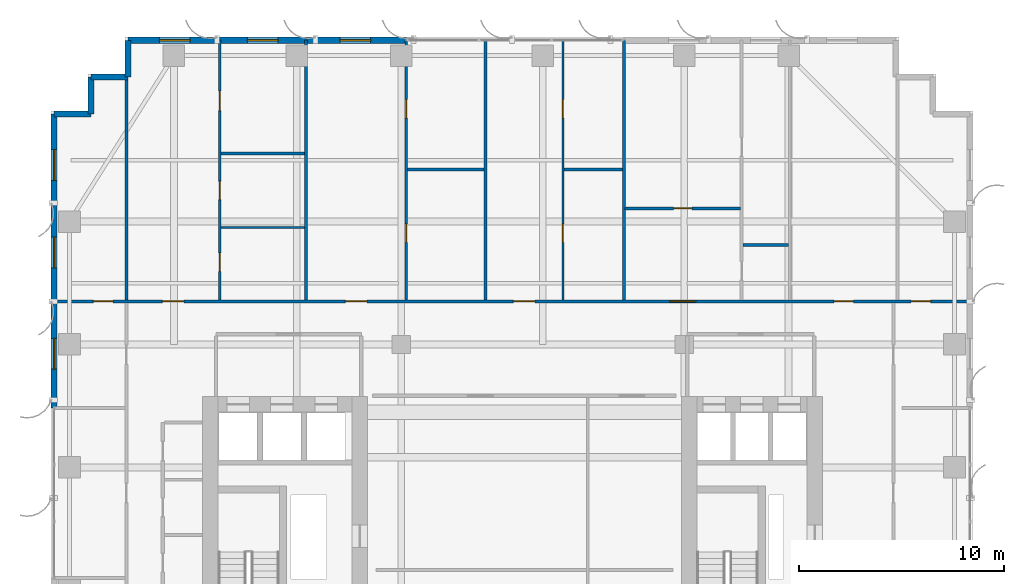
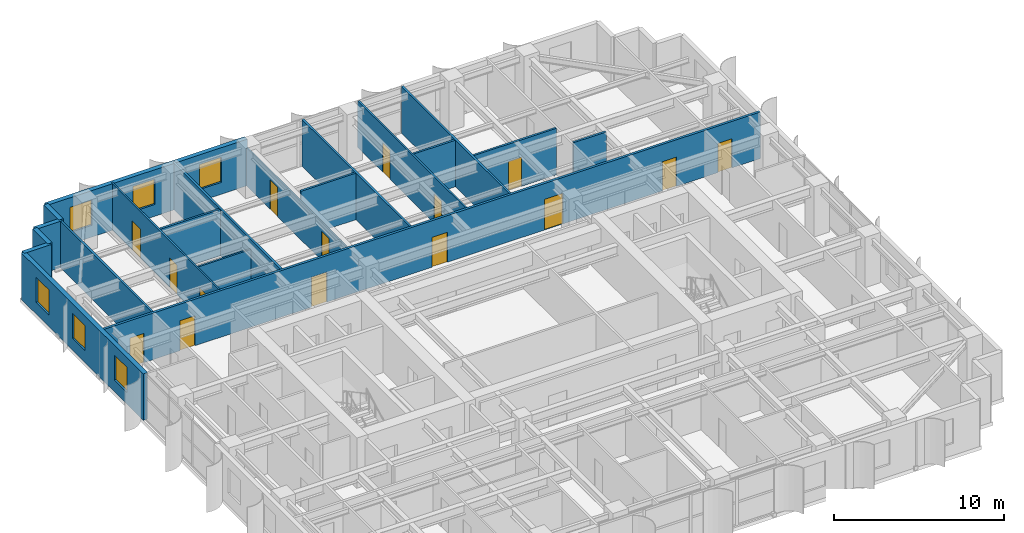
# One storey, part 15 of 19: 20 walls, 15 doors, 6 windows, 21 openings.
"""IFC4 building model written with IfcOpenShell, lengths in metres."""

from ifc_helpers import new_model, si_unit, direction, frame, frame_2d, origin, place, context, subcontext, project, spatial, rectangle, extrude, source, transform, mapped, material, layer, layer_set, type_object, element, fill, save


model = new_model("IFC4")

# Units and contexts
model_context = context("Model", 3, precision=1e-05, world=origin(), true_north=direction((0.0, 1.0)))
body_context = subcontext(model_context, "Body", "Model", "MODEL_VIEW")
ifc_project = project(units=[si_unit("LENGTHUNIT", "METRE"), si_unit("AREAUNIT", "SQUARE_METRE"), si_unit("VOLUMEUNIT", "CUBIC_METRE"), si_unit("PLANEANGLEUNIT", "RADIAN"), si_unit("MASSUNIT", "GRAM", prefix="KILO")], contexts=[model_context])

# Site, building, storey
site_placement = place(None, origin())
site = spatial("IfcSite", under=ifc_project, at=site_placement, CompositionType="ELEMENT")
building_placement = place(site_placement, origin())
building = spatial("IfcBuilding", under=site, at=building_placement, Name="Khoralis Quay Care Tower", CompositionType="ELEMENT")
storey_placement = place(building_placement, frame((0.0, 0.0, 90.89990234375)))
storey = spatial("IfcBuildingStorey", under=building, at=storey_placement, Name="L23", CompositionType="ELEMENT", Elevation=90.89990234375)

# Wall, openings, doors
ifc_material_1 = material(Name="Gypsum plasterboard on acoustic metal stud")
ifc_layer_1 = layer(ifc_material_1, 0.1650390625)
ifc_layer_set_1 = layer_set([ifc_layer_1], Name="Gypsum plasterboard on acoustic metal stud")
wall_type_1 = type_object("IfcWallType", Name="WL-CORR-165", PredefinedType="PARTITIONING", material=ifc_layer_set_1)
wall_1_placement = place(storey_placement, frame((0.14501953125, 32.10009765625, 0.0), z_axis=(0.0, 0.0, 1.0), x_axis=(1.0, 0.0, 0.0)))
wall_1 = element("IfcWall", 1, at=wall_1_placement, inside=storey, type_object=wall_type_1, Name="L23 North Main Corridor Wall", PredefinedType="PARTITIONING", context=body_context, shape_type="SweptSolid", body=[
    extrude(rectangle(XDim=44.7099609375, YDim=0.1650390625, at=frame_2d((22.35498046875, 0.0))), origin(), (0.0, 0.0, 1.0), 3.340087890625),
])
opening_1_placement = place(wall_1_placement, frame((5.28759765625, 0.0, 0.0)))
opening_1 = element("IfcOpeningElement", 2, at=opening_1_placement, cuts=wall_1, Name="Opening UD1", PredefinedType="OPENING", context=body_context, shape_type="SweptSolid", body=[
    extrude(rectangle(XDim=1.050048828125, YDim=2.14990234375, at=frame_2d((0.52490234375, 1.074951171875))), frame((0.0, 0.092529296875, 0.0), z_axis=(0.0, -1.0, 0.0), x_axis=(1.0, 0.0, 0.0)), (0.0, 0.0, 1.0), 0.18505859375),
])
opening_2_placement = place(wall_1_placement, frame((14.222900390625, 0.0, 0.0)))
opening_2 = element("IfcOpeningElement", 3, at=opening_2_placement, cuts=wall_1, Name="Opening UD1", PredefinedType="OPENING", context=body_context, shape_type="SweptSolid", body=[
    extrude(rectangle(XDim=1.050048828125, YDim=2.14990234375, at=frame_2d((0.52490234375, 1.074951171875))), frame((0.0, 0.092529296875, 0.0), z_axis=(0.0, -1.0, 0.0), x_axis=(1.0, 0.0, 0.0)), (0.0, 0.0, 1.0), 0.18505859375),
])
opening_3_placement = place(wall_1_placement, frame((22.423095703125, 0.0, 0.0)))
opening_3 = element("IfcOpeningElement", 4, at=opening_3_placement, cuts=wall_1, Name="Opening UD1", PredefinedType="OPENING", context=body_context, shape_type="SweptSolid", body=[
    extrude(rectangle(XDim=1.050048828125, YDim=2.14990234375, at=frame_2d((0.52490234375, 1.074951171875))), frame((0.0, 0.092529296875, 0.0), z_axis=(0.0, -1.0, 0.0), x_axis=(1.0, 0.0, 0.0)), (0.0, 0.0, 1.0), 0.18505859375),
])
opening_4_placement = place(wall_1_placement, frame((30.06494140625, 0.0, 0.0)))
opening_4 = element("IfcOpeningElement", 5, at=opening_4_placement, cuts=wall_1, Name="Opening CD1", PredefinedType="OPENING", context=body_context, shape_type="SweptSolid", body=[
    extrude(rectangle(XDim=1.25, YDim=2.199951171875, at=frame_2d((0.625, 1.10009765625))), frame((0.0, 0.092529296875, 0.0), z_axis=(0.0, -1.0, 0.0), x_axis=(1.0, 0.0, 0.0)), (0.0, 0.0, 1.0), 0.18505859375),
])
opening_5_placement = place(wall_1_placement, frame((38.070068359375, 0.0, 0.0)))
opening_5 = element("IfcOpeningElement", 6, at=opening_5_placement, cuts=wall_1, Name="Opening ID1", PredefinedType="OPENING", context=body_context, shape_type="SweptSolid", body=[
    extrude(rectangle(XDim=0.949951171875, YDim=2.10009765625, at=frame_2d((0.47509765625, 1.050048828125))), frame((0.0, 0.092529296875, 0.0), z_axis=(0.0, -1.0, 0.0), x_axis=(1.0, 0.0, 0.0)), (0.0, 0.0, 1.0), 0.18505859375),
])
opening_6_placement = place(wall_1_placement, frame((1.919921875, 0.0, 0.0)))
opening_6 = element("IfcOpeningElement", 7, at=opening_6_placement, cuts=wall_1, Name="Opening ID1", PredefinedType="OPENING", context=body_context, shape_type="SweptSolid", body=[
    extrude(rectangle(XDim=0.949951171875, YDim=2.10009765625, at=frame_2d((0.47509765625, 1.050048828125))), frame((0.0, 0.092529296875, 0.0), z_axis=(0.0, -1.0, 0.0), x_axis=(1.0, 0.0, 0.0)), (0.0, 0.0, 1.0), 0.18505859375),
])
opening_7_placement = place(wall_1_placement, frame((41.840087890625, 0.0, 0.0)))
opening_7 = element("IfcOpeningElement", 8, at=opening_7_placement, cuts=wall_1, Name="Opening ID1", PredefinedType="OPENING", context=body_context, shape_type="SweptSolid", body=[
    extrude(rectangle(XDim=0.949951171875, YDim=2.10009765625, at=frame_2d((0.47509765625, 1.050048828125))), frame((0.0, 0.092529296875, 0.0), z_axis=(0.0, -1.0, 0.0), x_axis=(1.0, 0.0, 0.0)), (0.0, 0.0, 1.0), 0.18505859375),
])
ifc_material_2 = material(Name="Acoustic hardwood timber", Category="wood")
door_type_1 = type_object("IfcDoorType", Name="DR-CARE-1250X2200", OperationType="NOTDEFINED", PredefinedType="DOOR", material=ifc_material_2)
shared_shape_1 = source(origin(), body_context, "Body", "SweptSolid", [
    extrude(rectangle(XDim=1.25, YDim=2.199951171875, at=frame_2d((0.625, 1.10009765625))), frame((0.0, 0.02490234375, 0.0), z_axis=(0.0, -1.0, 0.0), x_axis=(1.0, 0.0, 0.0)), (0.0, 0.0, 1.0), 0.050048828125),
])
door_1_placement = place(opening_4_placement, origin())
door_1 = element("IfcDoor", 9, at=door_1_placement, inside=storey, type_object=door_type_1, Name="L23 Care Suite NB3 Clinical Door", OperationType="SINGLE_SWING_RIGHT", OverallHeight=2.199951171875, OverallWidth=1.25, PredefinedType="DOOR", context=body_context, shape_type="MappedRepresentation", body=[
    mapped(shared_shape_1, transform((0.0, 0.0, 0.0), scale=1.0)),
])
fill(opening_4, door_1)
door_type_2 = type_object("IfcDoorType", Name="DR-ROOM-950X2100", OperationType="NOTDEFINED", PredefinedType="DOOR", material=ifc_material_2)
shared_shape_2 = source(origin(), body_context, "Body", "SweptSolid", [
    extrude(rectangle(XDim=0.949951171875, YDim=2.10009765625, at=frame_2d((0.47509765625, 1.050048828125))), frame((0.0, 0.02490234375, 0.0), z_axis=(0.0, -1.0, 0.0), x_axis=(1.0, 0.0, 0.0)), (0.0, 0.0, 1.0), 0.050048828125),
])
door_2_placement = place(opening_5_placement, origin())
door_2 = element("IfcDoor", 10, at=door_2_placement, inside=storey, type_object=door_type_2, Name="L23 Family Case Conference Room Door", OperationType="SINGLE_SWING_RIGHT", OverallHeight=2.10009765625, OverallWidth=0.949951171875, PredefinedType="DOOR", context=body_context, shape_type="MappedRepresentation", body=[
    mapped(shared_shape_2, transform((0.0, 0.0, 0.0), scale=1.0)),
])
fill(opening_5, door_2)
door_3_placement = place(opening_6_placement, origin())
door_3 = element("IfcDoor", 11, at=door_3_placement, inside=storey, type_object=door_type_2, Name="L23 NW Corner Door", OperationType="SINGLE_SWING_RIGHT", OverallHeight=2.10009765625, OverallWidth=0.949951171875, PredefinedType="DOOR", context=body_context, shape_type="MappedRepresentation", body=[
    mapped(shared_shape_2, transform((0.0, 0.0, 0.0), scale=1.0)),
])
fill(opening_6, door_3)
door_4_placement = place(opening_7_placement, origin())
door_4 = element("IfcDoor", 12, at=door_4_placement, inside=storey, type_object=door_type_2, Name="L23 NE Corner Door", OperationType="SINGLE_SWING_LEFT", OverallHeight=2.10009765625, OverallWidth=0.949951171875, PredefinedType="DOOR", context=body_context, shape_type="MappedRepresentation", body=[
    mapped(shared_shape_2, transform((0.0, 0.0, 0.0), scale=1.0)),
])
fill(opening_7, door_4)
door_type_3 = type_object("IfcDoorType", Name="DR-SUITE-1050X2150", OperationType="NOTDEFINED", PredefinedType="DOOR", material=ifc_material_2)
shared_shape_3 = source(origin(), body_context, "Body", "SweptSolid", [
    extrude(rectangle(XDim=1.050048828125, YDim=2.14990234375, at=frame_2d((0.52490234375, 1.074951171875))), frame((0.0, 0.02490234375, 0.0), z_axis=(0.0, -1.0, 0.0), x_axis=(1.0, 0.0, 0.0)), (0.0, 0.0, 1.0), 0.050048828125),
])
door_5_placement = place(opening_1_placement, origin())
door_5 = element("IfcDoor", 13, at=door_5_placement, inside=storey, type_object=door_type_3, Name="L23 Apartment NB0 Entrance Door", OperationType="SINGLE_SWING_LEFT", OverallHeight=2.14990234375, OverallWidth=1.050048828125, PredefinedType="DOOR", context=body_context, shape_type="MappedRepresentation", body=[
    mapped(shared_shape_3, transform((0.0, 0.0, 0.0), scale=1.0)),
])
fill(opening_1, door_5)
door_6_placement = place(opening_2_placement, origin())
door_6 = element("IfcDoor", 14, at=door_6_placement, inside=storey, type_object=door_type_3, Name="L23 Studio NB1 Entrance", OperationType="SINGLE_SWING_RIGHT", OverallHeight=2.14990234375, OverallWidth=1.050048828125, PredefinedType="DOOR", context=body_context, shape_type="MappedRepresentation", body=[
    mapped(shared_shape_3, transform((0.0, 0.0, 0.0), scale=1.0)),
])
fill(opening_2, door_6)
door_7_placement = place(opening_3_placement, origin())
door_7 = element("IfcDoor", 15, at=door_7_placement, inside=storey, type_object=door_type_3, Name="L23 Studio NB2 Entrance", OperationType="SINGLE_SWING_LEFT", OverallHeight=2.14990234375, OverallWidth=1.050048828125, PredefinedType="DOOR", context=body_context, shape_type="MappedRepresentation", body=[
    mapped(shared_shape_3, transform((0.0, 0.0, 0.0), scale=1.0)),
])
fill(opening_3, door_7)

# Wall, openings, windows
ifc_material_3 = material(Name="Precast concrete C45/55", Category="concrete")
ifc_layer_2 = layer(ifc_material_3, 0.300048828125)
ifc_layer_set_2 = layer_set([ifc_layer_2], Name="Precast concrete C45/55")
wall_type_2 = type_object("IfcWallType", Name="WL-EXT-REF-300", PredefinedType="SOLIDWALL", material=ifc_layer_set_2)
wall_2_placement = place(storey_placement, frame((17.345947265625, 44.85009765625, 0.0), z_axis=(0.0, 0.0, 1.0), x_axis=(-1.0, 0.0, 0.0)))
wall_2 = element("IfcWall", 16, at=wall_2_placement, inside=storey, type_object=wall_type_2, Name="L23 External Facade Wall WL-EXT-L23-P1-E10B", PredefinedType="SOLIDWALL", context=body_context, shape_type="SweptSolid", body=[
    extrude(rectangle(XDim=13.595947265625, YDim=0.300048828125, at=frame_2d((6.7978515625, 0.0))), origin(), (0.0, 0.0, 1.0), 3.340087890625),
])
opening_8_placement = place(wall_2_placement, frame((1.7529296875, 0.0, 0.85009765625)))
opening_8 = element("IfcOpeningElement", 17, at=opening_8_placement, cuts=wall_2, Name="Opening W3", PredefinedType="OPENING", context=body_context, shape_type="SweptSolid", body=[
    extrude(rectangle(XDim=1.5, YDim=1.800048828125, at=frame_2d((0.75, 0.89990234375))), frame((0.0, 0.16015625, 0.0), z_axis=(0.0, -1.0, 0.0), x_axis=(1.0, 0.0, 0.0)), (0.0, 0.0, 1.0), 0.320068359375),
])
opening_9_placement = place(wall_2_placement, frame((6.258544921875, 0.0, 0.85009765625)))
opening_9 = element("IfcOpeningElement", 18, at=opening_9_placement, cuts=wall_2, Name="Opening W3", PredefinedType="OPENING", context=body_context, shape_type="SweptSolid", body=[
    extrude(rectangle(XDim=1.5, YDim=1.800048828125, at=frame_2d((0.75, 0.89990234375))), frame((0.0, 0.16015625, 0.0), z_axis=(0.0, -1.0, 0.0), x_axis=(1.0, 0.0, 0.0)), (0.0, 0.0, 1.0), 0.320068359375),
])
opening_10_placement = place(wall_2_placement, frame((10.553466796875, 0.0, 0.85009765625)))
opening_10 = element("IfcOpeningElement", 19, at=opening_10_placement, cuts=wall_2, Name="Opening W3", PredefinedType="OPENING", context=body_context, shape_type="SweptSolid", body=[
    extrude(rectangle(XDim=1.5, YDim=1.800048828125, at=frame_2d((0.75, 0.89990234375))), frame((0.0, 0.16015625, 0.0), z_axis=(0.0, -1.0, 0.0), x_axis=(1.0, 0.0, 0.0)), (0.0, 0.0, 1.0), 0.320068359375),
])
ifc_material_4 = material(Name="Low-E solar-control double glazing", Category="glass")
window_type = type_object("IfcWindowType", Name="WN-CLIN-1500X1800", PartitioningType="SINGLE_PANEL", PredefinedType="WINDOW", material=ifc_material_4)
shared_shape_4 = source(origin(), body_context, "Body", "SweptSolid", [
    extrude(rectangle(XDim=1.5, YDim=1.800048828125, at=frame_2d((0.75, 0.89990234375))), frame((0.0, 0.030029296875, 0.0), z_axis=(0.0, -1.0, 0.0), x_axis=(1.0, 0.0, 0.0)), (0.0, 0.0, 1.0), 0.06005859375),
])
window_1_placement = place(opening_8_placement, origin())
window_1 = element("IfcWindow", 20, at=window_1_placement, inside=storey, type_object=window_type, Name="WN-L23-P1-E10B Facade Window 01", OverallHeight=1.800048828125, OverallWidth=1.5, PartitioningType="SINGLE_PANEL", PredefinedType="WINDOW", context=body_context, shape_type="MappedRepresentation", body=[
    mapped(shared_shape_4, transform((0.0, 0.0, 0.0), scale=1.0)),
])
fill(opening_8, window_1)
window_2_placement = place(opening_9_placement, origin())
window_2 = element("IfcWindow", 21, at=window_2_placement, inside=storey, type_object=window_type, Name="WN-L23-P1-E10B Facade Window 02", OverallHeight=1.800048828125, OverallWidth=1.5, PartitioningType="SINGLE_PANEL", PredefinedType="WINDOW", context=body_context, shape_type="MappedRepresentation", body=[
    mapped(shared_shape_4, transform((0.0, 0.0, 0.0), scale=1.0)),
])
fill(opening_9, window_2)
window_3_placement = place(opening_10_placement, origin())
window_3 = element("IfcWindow", 22, at=window_3_placement, inside=storey, type_object=window_type, Name="WN-L23-P1-E10B Facade Window 03", OverallHeight=1.800048828125, OverallWidth=1.5, PartitioningType="SINGLE_PANEL", PredefinedType="WINDOW", context=body_context, shape_type="MappedRepresentation", body=[
    mapped(shared_shape_4, transform((0.0, 0.0, 0.0), scale=1.0)),
])
fill(opening_10, window_3)

# Walls
for number, where, z_axis, x_axis, name in (
    (23, (3.75, 44.85009765625, 0.0), (0.0, 0.0, 1.0), (0.0, -1.0, 0.0), "L23 External Facade Wall WL-EXT-L23-P1-C11"),
    (24, (3.75, 43.050048828125, 0.0), (0.0, 0.0, 1.0), (-1.0, 0.0, 0.0), "L23 External Facade Wall WL-EXT-L23-P1-C12"),
    (25, (1.949951171875, 43.050048828125, 0.0), (0.0, 0.0, 1.0), (0.0, -1.0, 0.0), "L23 External Facade Wall WL-EXT-L23-P1-C13"),
    (26, (1.949951171875, 41.25, 0.0), (0.0, 0.0, 1.0), (-1.0, 0.0, 0.0), "L23 External Facade Wall WL-EXT-L23-P1-C14"),
):
    element("IfcWall", number, at=place(storey_placement, frame(where, z_axis=z_axis, x_axis=x_axis)), inside=storey, type_object=wall_type_2, Name=name, PredefinedType="SOLIDWALL", context=body_context, shape_type="SweptSolid", body=[
        extrude(rectangle(XDim=1.800048828125, YDim=0.300048828125, at=frame_2d((0.89990234375, 0.0))), origin(), (0.0, 0.0, 1.0), 3.340087890625),
    ])

# Wall, openings, windows
wall_3_placement = place(storey_placement, frame((0.14990234375, 41.25, 0.0), z_axis=(0.0, 0.0, 1.0), x_axis=(0.0, -1.0, 0.0)))
wall_3 = element("IfcWall", 27, at=wall_3_placement, inside=storey, type_object=wall_type_2, Name="L23 External Facade Wall WL-EXT-L23-P1-E15A", PredefinedType="SOLIDWALL", context=body_context, shape_type="SweptSolid", body=[
    extrude(rectangle(XDim=14.35009765625, YDim=0.300048828125, at=frame_2d((7.175048828125, 0.0))), origin(), (0.0, 0.0, 1.0), 3.340087890625),
])
opening_11_placement = place(wall_3_placement, frame((1.742431640625, 0.0, 0.85009765625)))
opening_11 = element("IfcOpeningElement", 28, at=opening_11_placement, cuts=wall_3, Name="Opening W3", PredefinedType="OPENING", context=body_context, shape_type="SweptSolid", body=[
    extrude(rectangle(XDim=1.5, YDim=1.800048828125, at=frame_2d((0.75, 0.89990234375))), frame((0.0, 0.16015625, 0.0), z_axis=(0.0, -1.0, 0.0), x_axis=(1.0, 0.0, 0.0)), (0.0, 0.0, 1.0), 0.320068359375),
])
opening_12_placement = place(wall_3_placement, frame((6.007568359375, 0.0, 0.85009765625)))
opening_12 = element("IfcOpeningElement", 29, at=opening_12_placement, cuts=wall_3, Name="Opening W3", PredefinedType="OPENING", context=body_context, shape_type="SweptSolid", body=[
    extrude(rectangle(XDim=1.5, YDim=1.800048828125, at=frame_2d((0.75, 0.89990234375))), frame((0.0, 0.16015625, 0.0), z_axis=(0.0, -1.0, 0.0), x_axis=(1.0, 0.0, 0.0)), (0.0, 0.0, 1.0), 0.320068359375),
])
opening_13_placement = place(wall_3_placement, frame((10.949951171875, 0.0, 0.85009765625)))
opening_13 = element("IfcOpeningElement", 30, at=opening_13_placement, cuts=wall_3, Name="Opening W3", PredefinedType="OPENING", context=body_context, shape_type="SweptSolid", body=[
    extrude(rectangle(XDim=1.5, YDim=1.800048828125, at=frame_2d((0.75, 0.89990234375))), frame((0.0, 0.16015625, 0.0), z_axis=(0.0, -1.0, 0.0), x_axis=(1.0, 0.0, 0.0)), (0.0, 0.0, 1.0), 0.320068359375),
])
window_4_placement = place(opening_11_placement, origin())
window_4 = element("IfcWindow", 31, at=window_4_placement, inside=storey, type_object=window_type, Name="WN-L23-P1-E15A Facade Window 01", OverallHeight=1.800048828125, OverallWidth=1.5, PartitioningType="SINGLE_PANEL", PredefinedType="WINDOW", context=body_context, shape_type="MappedRepresentation", body=[
    mapped(shared_shape_4, transform((0.0, 0.0, 0.0), scale=1.0)),
])
fill(opening_11, window_4)
window_5_placement = place(opening_12_placement, origin())
window_5 = element("IfcWindow", 32, at=window_5_placement, inside=storey, type_object=window_type, Name="WN-L23-P1-E15A Facade Window 02", OverallHeight=1.800048828125, OverallWidth=1.5, PartitioningType="SINGLE_PANEL", PredefinedType="WINDOW", context=body_context, shape_type="MappedRepresentation", body=[
    mapped(shared_shape_4, transform((0.0, 0.0, 0.0), scale=1.0)),
])
fill(opening_12, window_5)
window_6_placement = place(opening_13_placement, origin())
window_6 = element("IfcWindow", 33, at=window_6_placement, inside=storey, type_object=window_type, Name="WN-L23-P1-E15A Facade Window 03", OverallHeight=1.800048828125, OverallWidth=1.5, PartitioningType="SINGLE_PANEL", PredefinedType="WINDOW", context=body_context, shape_type="MappedRepresentation", body=[
    mapped(shared_shape_4, transform((0.0, 0.0, 0.0), scale=1.0)),
])
fill(opening_13, window_6)

# Wall, openings, doors
ifc_layer_3 = layer(ifc_material_1, 0.114990234375)
ifc_layer_set_3 = layer_set([ifc_layer_3], Name="Gypsum plasterboard on acoustic metal stud")
wall_type_3 = type_object("IfcWallType", Name="WL-PART-115", PredefinedType="PARTITIONING", material=ifc_layer_set_3)
wall_4_placement = place(storey_placement, frame((8.235107421875, 32.177490234375, 0.0), z_axis=(0.0, 0.0, 1.0), x_axis=(0.0, 1.0, 0.0)))
wall_4 = element("IfcWall", 34, at=wall_4_placement, inside=storey, type_object=wall_type_3, Name="L23 Unit 0 Internal Wall", PredefinedType="PARTITIONING", context=body_context, shape_type="SweptSolid", body=[
    extrude(rectangle(XDim=12.677490234375, YDim=0.114990234375, at=frame_2d((6.3388671875, 0.0))), origin(), (0.0, 0.0, 1.0), 3.340087890625),
])
opening_14_placement = place(wall_4_placement, frame((9.234619140625, 0.0, 0.0)))
opening_14 = element("IfcOpeningElement", 35, at=opening_14_placement, cuts=wall_4, Name="Opening ID1", PredefinedType="OPENING", context=body_context, shape_type="SweptSolid", body=[
    extrude(rectangle(XDim=0.949951171875, YDim=2.10009765625, at=frame_2d((0.47509765625, 1.050048828125))), frame((0.0, 0.0673828125, 0.0), z_axis=(0.0, -1.0, 0.0), x_axis=(1.0, 0.0, 0.0)), (0.0, 0.0, 1.0), 0.135009765625),
])
opening_15_placement = place(wall_4_placement, frame((4.890380859375, 0.0, 0.0)))
opening_15 = element("IfcOpeningElement", 36, at=opening_15_placement, cuts=wall_4, Name="Opening WD1", PredefinedType="OPENING", context=body_context, shape_type="SweptSolid", body=[
    extrude(rectangle(XDim=0.89990234375, YDim=2.10009765625, at=frame_2d((0.449951171875, 1.050048828125))), frame((0.0, 0.0673828125, 0.0), z_axis=(0.0, -1.0, 0.0), x_axis=(1.0, 0.0, 0.0)), (0.0, 0.0, 1.0), 0.135009765625),
])
opening_16_placement = place(wall_4_placement, frame((1.3935546875, 0.0, 0.0)))
opening_16 = element("IfcOpeningElement", 37, at=opening_16_placement, cuts=wall_4, Name="Opening WD1", PredefinedType="OPENING", context=body_context, shape_type="SweptSolid", body=[
    extrude(rectangle(XDim=0.89990234375, YDim=2.10009765625, at=frame_2d((0.449951171875, 1.050048828125))), frame((0.0, 0.0673828125, 0.0), z_axis=(0.0, -1.0, 0.0), x_axis=(1.0, 0.0, 0.0)), (0.0, 0.0, 1.0), 0.135009765625),
])
door_type_4 = type_object("IfcDoorType", Name="DR-BATH-900X2100", OperationType="NOTDEFINED", PredefinedType="DOOR", material=ifc_material_2)
shared_shape_5 = source(origin(), body_context, "Body", "SweptSolid", [
    extrude(rectangle(XDim=0.89990234375, YDim=2.10009765625, at=frame_2d((0.449951171875, 1.050048828125))), frame((0.0, 0.02490234375, 0.0), z_axis=(0.0, -1.0, 0.0), x_axis=(1.0, 0.0, 0.0)), (0.0, 0.0, 1.0), 0.050048828125),
])
door_8_placement = place(opening_15_placement, frame((0.89990234375, 0.0, 0.0), z_axis=(0.0, 0.0, 1.0), x_axis=(-1.0, 0.0, 0.0)))
door_8 = element("IfcDoor", 38, at=door_8_placement, inside=storey, type_object=door_type_4, Name="L23 Apartment NB0 KIT Door", OperationType="SINGLE_SWING_LEFT", OverallHeight=2.10009765625, OverallWidth=0.89990234375, PredefinedType="DOOR", context=body_context, shape_type="MappedRepresentation", body=[
    mapped(shared_shape_5, transform((0.0, 0.0, 0.0), scale=1.0)),
])
fill(opening_15, door_8)
door_9_placement = place(opening_16_placement, frame((0.89990234375, 0.0, 0.0), z_axis=(0.0, 0.0, 1.0), x_axis=(-1.0, 0.0, 0.0)))
door_9 = element("IfcDoor", 39, at=door_9_placement, inside=storey, type_object=door_type_4, Name="L23 Apartment NB0 BTH Door", OperationType="SINGLE_SWING_RIGHT", OverallHeight=2.10009765625, OverallWidth=0.89990234375, PredefinedType="DOOR", context=body_context, shape_type="MappedRepresentation", body=[
    mapped(shared_shape_5, transform((0.0, 0.0, 0.0), scale=1.0)),
])
fill(opening_16, door_9)
door_10_placement = place(opening_14_placement, frame((0.949951171875, 0.0, 0.0), z_axis=(0.0, 0.0, 1.0), x_axis=(-1.0, 0.0, 0.0)))
door_10 = element("IfcDoor", 40, at=door_10_placement, inside=storey, type_object=door_type_2, Name="L23 Apartment NB0 BED Door", OperationType="SINGLE_SWING_RIGHT", OverallHeight=2.10009765625, OverallWidth=0.949951171875, PredefinedType="DOOR", context=body_context, shape_type="MappedRepresentation", body=[
    mapped(shared_shape_2, transform((0.0, 0.0, 0.0), scale=1.0)),
])
fill(opening_14, door_10)

# Wall
wall_5_placement = place(storey_placement, frame((8.28759765625, 35.7119140625, 0.0), z_axis=(0.0, 0.0, 1.0), x_axis=(1.0, 0.0, 0.0)))
element("IfcWall", 41, at=wall_5_placement, inside=storey, type_object=wall_type_3, Name="L23 Unit 0 Kitchen Wall", PredefinedType="PARTITIONING", context=body_context, shape_type="SweptSolid", body=[
    extrude(rectangle(XDim=4.08740234375, YDim=0.114990234375, at=frame_2d((2.043701171875, 0.0))), origin(), (0.0, 0.0, 1.0), 2.64501953125),
])

# Wall, openings, doors
wall_6_placement = place(storey_placement, frame((17.345947265625, 32.177490234375, 0.0), z_axis=(0.0, 0.0, 1.0), x_axis=(0.0, 1.0, 0.0)))
wall_6 = element("IfcWall", 42, at=wall_6_placement, inside=storey, type_object=wall_type_3, Name="L23 Studio 1 Internal Wall", PredefinedType="PARTITIONING", context=body_context, shape_type="SweptSolid", body=[
    extrude(rectangle(XDim=12.677490234375, YDim=0.114990234375, at=frame_2d((6.3388671875, 0.0))), origin(), (0.0, 0.0, 1.0), 2.72412109375),
])
opening_17_placement = place(wall_6_placement, frame((8.87255859375, 0.0, 0.0)))
opening_17 = element("IfcOpeningElement", 43, at=opening_17_placement, cuts=wall_6, Name="Opening WD1", PredefinedType="OPENING", context=body_context, shape_type="SweptSolid", body=[
    extrude(rectangle(XDim=0.89990234375, YDim=2.10009765625, at=frame_2d((0.449951171875, 1.050048828125))), frame((0.0, 0.0673828125, 0.0), z_axis=(0.0, -1.0, 0.0), x_axis=(1.0, 0.0, 0.0)), (0.0, 0.0, 1.0), 0.135009765625),
])
opening_18_placement = place(wall_6_placement, frame((2.8125, 0.0, 0.0)))
opening_18 = element("IfcOpeningElement", 44, at=opening_18_placement, cuts=wall_6, Name="Opening WD1", PredefinedType="OPENING", context=body_context, shape_type="SweptSolid", body=[
    extrude(rectangle(XDim=0.89990234375, YDim=2.10009765625, at=frame_2d((0.449951171875, 1.050048828125))), frame((0.0, 0.0673828125, 0.0), z_axis=(0.0, -1.0, 0.0), x_axis=(1.0, 0.0, 0.0)), (0.0, 0.0, 1.0), 0.135009765625),
])
door_11_placement = place(opening_17_placement, frame((0.89990234375, 0.0, 0.0), z_axis=(0.0, 0.0, 1.0), x_axis=(-1.0, 0.0, 0.0)))
door_11 = element("IfcDoor", 45, at=door_11_placement, inside=storey, type_object=door_type_4, Name="L23 Studio SKT Door", OperationType="SINGLE_SWING_LEFT", OverallHeight=2.10009765625, OverallWidth=0.89990234375, PredefinedType="DOOR", context=body_context, shape_type="MappedRepresentation", body=[
    mapped(shared_shape_5, transform((0.0, 0.0, 0.0), scale=1.0)),
])
fill(opening_17, door_11)
door_12_placement = place(opening_18_placement, frame((0.89990234375, 0.0, 0.0), z_axis=(0.0, 0.0, 1.0), x_axis=(-1.0, 0.0, 0.0)))
door_12 = element("IfcDoor", 46, at=door_12_placement, inside=storey, type_object=door_type_4, Name="L23 Studio SBH Door", OperationType="SINGLE_SWING_RIGHT", OverallHeight=2.10009765625, OverallWidth=0.89990234375, PredefinedType="DOOR", context=body_context, shape_type="MappedRepresentation", body=[
    mapped(shared_shape_5, transform((0.0, 0.0, 0.0), scale=1.0)),
])
fill(opening_18, door_12)

wall_7_placement = place(storey_placement, frame((24.986083984375, 32.177490234375, 0.0), z_axis=(0.0, 0.0, 1.0), x_axis=(0.0, 1.0, 0.0)))
wall_7 = element("IfcWall", 47, at=wall_7_placement, inside=storey, type_object=wall_type_3, Name="L23 Studio 2 Internal Wall", PredefinedType="PARTITIONING", context=body_context, shape_type="SweptSolid", body=[
    extrude(rectangle(XDim=12.677490234375, YDim=0.114990234375, at=frame_2d((6.3388671875, 0.0))), origin(), (0.0, 0.0, 1.0), 3.340087890625),
])
opening_19_placement = place(wall_7_placement, frame((8.87255859375, 0.0, 0.0)))
opening_19 = element("IfcOpeningElement", 48, at=opening_19_placement, cuts=wall_7, Name="Opening WD1", PredefinedType="OPENING", context=body_context, shape_type="SweptSolid", body=[
    extrude(rectangle(XDim=0.89990234375, YDim=2.10009765625, at=frame_2d((0.449951171875, 1.050048828125))), frame((0.0, 0.0673828125, 0.0), z_axis=(0.0, -1.0, 0.0), x_axis=(1.0, 0.0, 0.0)), (0.0, 0.0, 1.0), 0.135009765625),
])
opening_20_placement = place(wall_7_placement, frame((2.8125, 0.0, 0.0)))
opening_20 = element("IfcOpeningElement", 49, at=opening_20_placement, cuts=wall_7, Name="Opening WD1", PredefinedType="OPENING", context=body_context, shape_type="SweptSolid", body=[
    extrude(rectangle(XDim=0.89990234375, YDim=2.10009765625, at=frame_2d((0.449951171875, 1.050048828125))), frame((0.0, 0.0673828125, 0.0), z_axis=(0.0, -1.0, 0.0), x_axis=(1.0, 0.0, 0.0)), (0.0, 0.0, 1.0), 0.135009765625),
])
door_13_placement = place(opening_19_placement, frame((0.89990234375, 0.0, 0.0), z_axis=(0.0, 0.0, 1.0), x_axis=(-1.0, 0.0, 0.0)))
door_13 = element("IfcDoor", 50, at=door_13_placement, inside=storey, type_object=door_type_4, Name="L23 Studio SKT Door", OperationType="SINGLE_SWING_RIGHT", OverallHeight=2.10009765625, OverallWidth=0.89990234375, PredefinedType="DOOR", context=body_context, shape_type="MappedRepresentation", body=[
    mapped(shared_shape_5, transform((0.0, 0.0, 0.0), scale=1.0)),
])
fill(opening_19, door_13)
door_14_placement = place(opening_20_placement, frame((0.89990234375, 0.0, 0.0), z_axis=(0.0, 0.0, 1.0), x_axis=(-1.0, 0.0, 0.0)))
door_14 = element("IfcDoor", 51, at=door_14_placement, inside=storey, type_object=door_type_4, Name="L23 Studio SBH Door", OperationType="SINGLE_SWING_LEFT", OverallHeight=2.10009765625, OverallWidth=0.89990234375, PredefinedType="DOOR", context=body_context, shape_type="MappedRepresentation", body=[
    mapped(shared_shape_5, transform((0.0, 0.0, 0.0), scale=1.0)),
])
fill(opening_20, door_14)

# Walls
ifc_material_5 = material(Name="Moisture-resistant gypsum and ceramic tile")
ifc_layer_4 = layer(ifc_material_5, 0.280029296875)
ifc_layer_set_4 = layer_set([ifc_layer_4], Name="Moisture-resistant gypsum and ceramic tile")
wall_type_4 = type_object("IfcWallType", Name="WL-PLUMB-280", PredefinedType="PLUMBINGWALL", material=ifc_layer_set_4)
wall_8_placement = place(storey_placement, frame((8.28759765625, 39.323974609375, 0.0), z_axis=(0.0, 0.0, 1.0), x_axis=(1.0, 0.0, 0.0)))
element("IfcWall", 52, at=wall_8_placement, inside=storey, type_object=wall_type_4, Name="L23 Unit 0 Wet Wall", PredefinedType="PLUMBINGWALL", context=body_context, shape_type="SweptSolid", body=[
    extrude(rectangle(XDim=4.08740234375, YDim=0.139892578125, at=frame_2d((2.043701171875, 0.0))), origin(), (0.0, 0.0, 1.0), 3.340087890625),
])
wall_9_placement = place(storey_placement, frame((17.3984375, 38.550048828125, 0.0), z_axis=(0.0, 0.0, 1.0), x_axis=(1.0, 0.0, 0.0)))
element("IfcWall", 53, at=wall_9_placement, inside=storey, type_object=wall_type_4, Name="L23 Studio 1 Wet Split", PredefinedType="PLUMBINGWALL", context=body_context, shape_type="SweptSolid", body=[
    extrude(rectangle(XDim=3.736572265625, YDim=0.139892578125, at=frame_2d((1.8681640625, 0.0))), origin(), (0.0, 0.0, 1.0), 3.340087890625),
])
wall_10_placement = place(storey_placement, frame((25.03857421875, 38.550048828125, 0.0), z_axis=(0.0, 0.0, 1.0), x_axis=(1.0, 0.0, 0.0)))
element("IfcWall", 54, at=wall_10_placement, inside=storey, type_object=wall_type_4, Name="L23 Studio 2 Wet Split", PredefinedType="PLUMBINGWALL", context=body_context, shape_type="SweptSolid", body=[
    extrude(rectangle(XDim=2.8564453125, YDim=0.139892578125, at=frame_2d((1.42822265625, 0.0))), origin(), (0.0, 0.0, 1.0), 3.340087890625),
])
wall_11_placement = place(storey_placement, frame((33.77490234375, 34.85009765625, 0.0), z_axis=(0.0, 0.0, 1.0), x_axis=(1.0, 0.0, 0.0)))
element("IfcWall", 55, at=wall_11_placement, inside=storey, type_object=wall_type_4, Name="L23 Care Suite 3 En-Suite Wall H", PredefinedType="PLUMBINGWALL", context=body_context, shape_type="SweptSolid", body=[
    extrude(rectangle(XDim=2.22021484375, YDim=0.139892578125, at=frame_2d((1.110107421875, 0.0))), origin(), (0.0, 0.0, 1.0), 3.340087890625),
])
ifc_layer_5 = layer(ifc_material_1, 0.139892578125)
ifc_layer_set_5 = layer_set([ifc_layer_5], Name="Gypsum plasterboard on acoustic metal stud")
wall_type_5 = type_object("IfcWallType", Name="WL-UNIT-140", PredefinedType="PARTITIONING", material=ifc_layer_set_5)
wall_12_placement = place(storey_placement, frame((3.679931640625, 32.177490234375, 0.0), z_axis=(0.0, 0.0, 1.0), x_axis=(0.0, 1.0, 0.0)))
element("IfcWall", 56, at=wall_12_placement, inside=storey, type_object=wall_type_5, Name="L23 NB Demising Wall 0", PredefinedType="PARTITIONING", context=body_context, shape_type="SweptSolid", body=[
    extrude(rectangle(XDim=10.87744140625, YDim=0.139892578125, at=frame_2d((5.438720703125, 0.0))), origin(), (0.0, 0.0, 1.0), 3.340087890625),
])
for number, where, z_axis, x_axis, name in (
    (57, (12.43994140625, 32.177490234375, 0.0), (0.0, 0.0, 1.0), (0.0, 1.0, 0.0), "L23 NB Demising Wall 1"),
    (58, (21.199951171875, 32.177490234375, 0.0), (0.0, 0.0, 1.0), (0.0, 1.0, 0.0), "L23 NB Demising Wall 2"),
    (59, (27.9599609375, 32.177490234375, 0.0), (0.0, 0.0, 1.0), (0.0, 1.0, 0.0), "L23 NB Demising Wall 3"),
):
    element("IfcWall", number, at=place(storey_placement, frame(where, z_axis=z_axis, x_axis=x_axis)), inside=storey, type_object=wall_type_5, Name=name, PredefinedType="PARTITIONING", context=body_context, shape_type="SweptSolid", body=[
        extrude(rectangle(XDim=12.677490234375, YDim=0.139892578125, at=frame_2d((6.3388671875, 0.0))), origin(), (0.0, 0.0, 1.0), 3.340087890625),
    ])

# Wall, opening, door
wall_13_placement = place(storey_placement, frame((28.02490234375, 36.639892578125, 0.0), z_axis=(0.0, 0.0, 1.0), x_axis=(1.0, 0.0, 0.0)))
wall_13 = element("IfcWall", 60, at=wall_13_placement, inside=storey, type_object=wall_type_5, Name="Skilled Care Bedroom L23-NB3 Sub-Partition", PredefinedType="PARTITIONING", context=body_context, shape_type="SweptSolid", body=[
    extrude(rectangle(XDim=5.6201171875, YDim=0.139892578125, at=frame_2d((2.81005859375, 0.0))), origin(), (0.0, 0.0, 1.0), 3.340087890625),
])
opening_21_placement = place(wall_13_placement, frame((2.360107421875, 0.0, 0.0)))
opening_21 = element("IfcOpeningElement", 61, at=opening_21_placement, cuts=wall_13, Name="Opening WD1", PredefinedType="OPENING", context=body_context, shape_type="SweptSolid", body=[
    extrude(rectangle(XDim=0.89990234375, YDim=2.10009765625, at=frame_2d((0.449951171875, 1.050048828125))), frame((0.0, 0.080078125, 0.0), z_axis=(0.0, -1.0, 0.0), x_axis=(1.0, 0.0, 0.0)), (0.0, 0.0, 1.0), 0.159912109375),
])
door_15_placement = place(opening_21_placement, frame((0.89990234375, 0.0, 0.0), z_axis=(0.0, 0.0, 1.0), x_axis=(-1.0, 0.0, 0.0)))
door_15 = element("IfcDoor", 62, at=door_15_placement, inside=storey, type_object=door_type_4, Name="Private Study & Reading Alcove ARE3 Door", OperationType="SINGLE_SWING_LEFT", OverallHeight=2.10009765625, OverallWidth=0.89990234375, PredefinedType="DOOR", context=body_context, shape_type="MappedRepresentation", body=[
    mapped(shared_shape_5, transform((0.0, 0.0, 0.0), scale=1.0)),
])
fill(opening_21, door_15)

save(model, "model.ifc")
